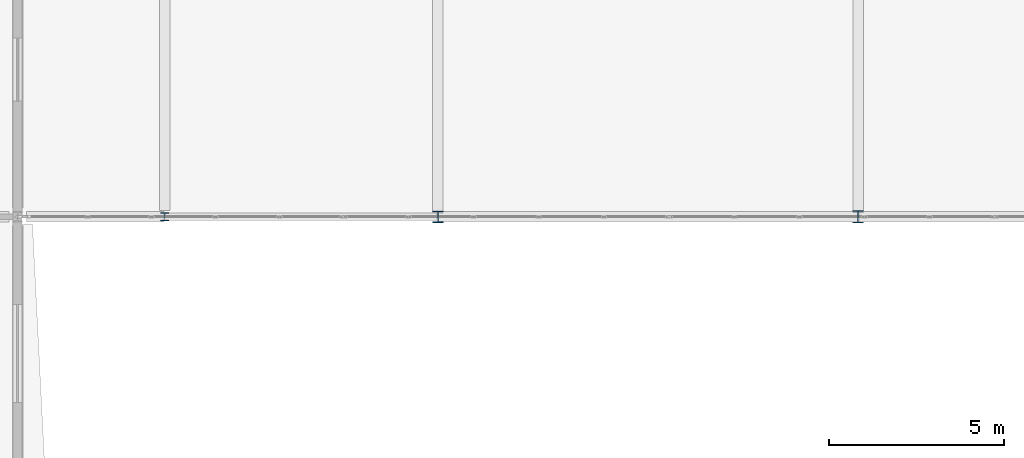
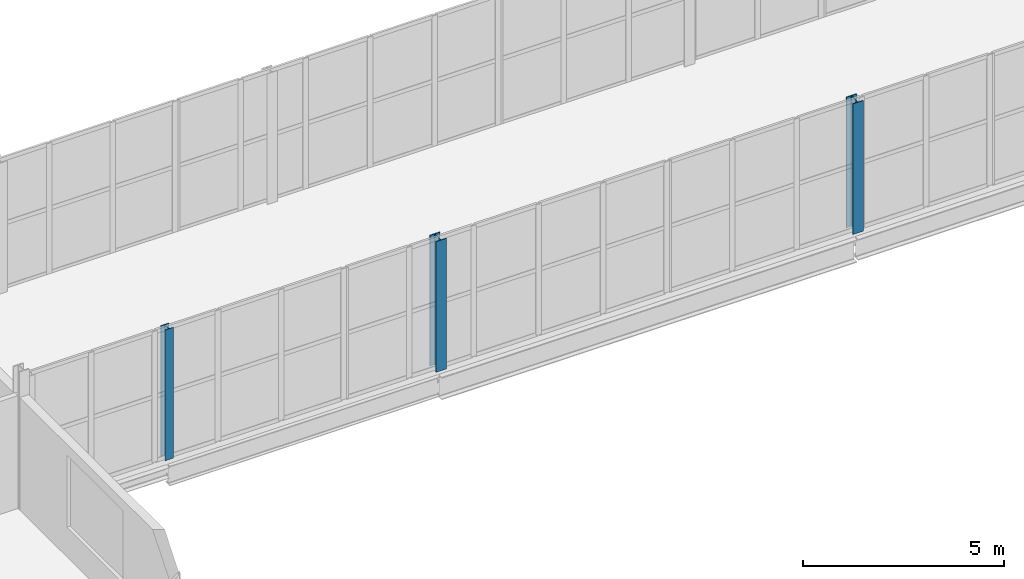
# One storey, part 14 of 138: 3 columns.
"""IFC4 building model written with IfcOpenShell, lengths in metres."""

import ifcopenshell
import ifcopenshell.guid

model = None  # the IFC model being written
_history = None  # IfcOwnerHistory: only IFC2X3 demands one
_inside = {}  # id of a spatial element -> (the spatial element, [elements in it])
_under = {}  # id of a project, library or spatial element -> (it, [spatial elements below it])
_declared = {}  # id of a project -> (the project, [libraries it declares])
_typed = {}  # id of a type object -> (the type object, [elements of that type])
_made_of = {}  # id of a material, layer set ... -> (it, [elements and type objects made of it])


def new_model(schema):
    """Start an empty IFC model of exactly this schema.

    Asked for "IFC4X3", IfcOpenShell would pick the latest addendum, in which some entities
    have other attributes; the version numbers below select the first issue.
    IFC2X3 requires an IfcOwnerHistory on every rooted entity: one is made here for all.
    """
    global model, _history
    if schema == "IFC4X3":
        model = ifcopenshell.file(schema_version=(4, 3, 0, 0))
    else:
        model = ifcopenshell.file(schema=schema)
    _inside.clear()
    _under.clear()
    _declared.clear()
    _typed.clear()
    _made_of.clear()
    _history = None
    if model.schema == "IFC2X3":
        org = make("IfcOrganization", Name="unknown")
        user = make(
            "IfcPersonAndOrganization",
            ThePerson=make("IfcPerson", FamilyName="unknown"),
            TheOrganization=org,
        )
        app = make(
            "IfcApplication",
            ApplicationDeveloper=org,
            Version="unknown",
            ApplicationFullName="unknown",
            ApplicationIdentifier="unknown",
        )
        _history = make(
            "IfcOwnerHistory",
            OwningUser=user,
            OwningApplication=app,
            ChangeAction="ADDED",
            CreationDate=0,
        )
    return model


def make(cls, **values):
    """One entity of the class cls with the attributes given. An attribute that is None is left unset."""
    return model.create_entity(
        cls, **{name: value for name, value in values.items() if value is not None}
    )


def rooted(cls, **values):
    """An entity with a GlobalId (a new one), such as an element, a storey or a relation."""
    return make(cls, GlobalId=ifcopenshell.guid.new(), OwnerHistory=_history, **values)


def si_unit(unit_type, name, prefix=None):
    """IfcSIUnit, for example si_unit("LENGTHUNIT", "METRE", prefix="MILLI")."""
    return make("IfcSIUnit", UnitType=unit_type, Prefix=prefix, Name=name)


def assignment(units):
    """IfcUnitAssignment: the units of a project."""
    return None if units is None else make("IfcUnitAssignment", Units=units)


def point(xyz):
    """IfcCartesianPoint."""
    return None if xyz is None else make("IfcCartesianPoint", Coordinates=xyz)


def direction(xyz):
    """IfcDirection."""
    return None if xyz is None else make("IfcDirection", DirectionRatios=xyz)


def frame(location, z_axis=None, x_axis=None):
    """IfcAxis2Placement3D, a coordinate frame: its origin and axes. An axis left out is left unset."""
    return make(
        "IfcAxis2Placement3D",
        Location=point(location),
        Axis=direction(z_axis),
        RefDirection=direction(x_axis),
    )


def frame_2d(location, x_axis=None):
    """IfcAxis2Placement2D, a coordinate frame in the plane: its origin and x axis."""
    return make(
        "IfcAxis2Placement2D", Location=point(location), RefDirection=direction(x_axis)
    )


def origin():
    """The frame at (0, 0, 0) with its axes left unset."""
    return frame((0.0, 0.0, 0.0))


def origin_2d():
    """The frame at (0, 0) in the plane with its x axis left unset."""
    return frame_2d((0.0, 0.0))


def place(relative_to, where):
    """IfcLocalPlacement: puts the frame where relative to a parent placement (None: the world)."""
    return make(
        "IfcLocalPlacement", PlacementRelTo=relative_to, RelativePlacement=where
    )


def context(
    kind, dimensions, precision=None, world=None, true_north=None, identifier=None
):
    """IfcGeometricRepresentationContext, for example the 3D "Model" context."""
    return make(
        "IfcGeometricRepresentationContext",
        ContextIdentifier=identifier,
        ContextType=kind,
        CoordinateSpaceDimension=dimensions,
        Precision=precision,
        WorldCoordinateSystem=world,
        TrueNorth=true_north,
    )


def subcontext(parent, identifier, kind, view, scale=None):
    """IfcGeometricRepresentationSubContext, for example "Body" below "Model"."""
    return make(
        "IfcGeometricRepresentationSubContext",
        ContextIdentifier=identifier,
        ContextType=kind,
        ParentContext=parent,
        TargetScale=scale,
        TargetView=view,
    )


def project(units=None, contexts=None):
    """IfcProject with its units and contexts."""
    return rooted(
        "IfcProject",
        Name="project",
        RepresentationContexts=contexts,
        UnitsInContext=assignment(units),
    )


def spatial(cls, under=None, at=None, **own):
    """A site, building, storey or space (cls), placed at a placement, below another one or the project."""
    s = rooted(cls, ObjectPlacement=at, **own)
    if under is not None:
        _under.setdefault(under.id(), (under, []))[1].append(s)
    return s


def profile(cls, at=None, kind="AREA", **sizes):
    """A parametric profile (cls). Its sizes go by their IFC names, for example OverallWidth=200.0."""
    return make(cls, ProfileType=kind, Position=at, **sizes)


def i_section(**sizes):
    """IfcIShapeProfileDef."""
    return profile("IfcIShapeProfileDef", **sizes)


def extrude(swept, where, along, depth):
    """IfcExtrudedAreaSolid: the profile swept, set in the frame where, extruded along a direction by depth."""
    return make(
        "IfcExtrudedAreaSolid",
        SweptArea=swept,
        Position=where,
        ExtrudedDirection=direction(along),
        Depth=depth,
    )


def shape(context_of_items, identifier, shape_type, items):
    """IfcShapeRepresentation: the items that make up one representation, for example the "Body"."""
    return make(
        "IfcShapeRepresentation",
        ContextOfItems=context_of_items,
        RepresentationIdentifier=identifier,
        RepresentationType=shape_type,
        Items=items,
    )


def material(Name=None, Category=None):
    """IfcMaterial."""
    return make("IfcMaterial", Name=Name, Category=Category)


def material_profile(
    of_material, cross_section, Name=None, Category=None, Priority=None
):
    """IfcMaterialProfile: a cross section and its material."""
    return make(
        "IfcMaterialProfile",
        Name=Name,
        Material=of_material,
        Profile=cross_section,
        Priority=Priority,
        Category=Category,
    )


def profile_set(profiles, Name=None, composite=None):
    """IfcMaterialProfileSet."""
    return make(
        "IfcMaterialProfileSet",
        Name=Name,
        MaterialProfiles=profiles,
        CompositeProfile=composite,
    )


def made_of(thing, what):
    """Note that an element or type object is made of a material, layer set ...; save() writes the relation."""
    if what is not None:
        _made_of.setdefault(what.id(), (what, []))[1].append(thing)
    return thing


def type_object(cls, material=None, **own):
    """A type object (cls), such as IfcWallType, which elements share."""
    return made_of(rooted(cls, **own), material)


def element(
    cls,
    number,
    at=None,
    inside=None,
    cuts=None,
    type_object=None,
    material=None,
    context=None,
    identifier="Body",
    shape_type=None,
    held_by="IfcProductDefinitionShape",
    body=None,
    shapes=None,
    **own,
):
    """One element of the class cls, such as IfcWall. Its Tag is "e" and its number.

    at: its placement. inside: the storey or other place that contains it. cuts: it is an
    opening in that element (IfcRelVoidsElement). A single representation is given by context,
    identifier, shape_type and body (its items); several are given by shapes. held_by: the class
    of the entity that holds the representations. save() writes the other relations.
    """
    e = rooted(cls, Tag="e%d" % number, ObjectPlacement=at, **own)
    if body is not None:
        shapes = [shape(context, identifier, shape_type, body)]
    if shapes is not None:
        e.Representation = make(held_by, Representations=shapes)
    if inside is not None:
        _inside.setdefault(inside.id(), (inside, []))[1].append(e)
    if cuts is not None:
        rooted(
            "IfcRelVoidsElement", RelatingBuildingElement=cuts, RelatedOpeningElement=e
        )
    if type_object is not None:
        _typed.setdefault(type_object.id(), (type_object, []))[1].append(e)
    return made_of(e, material)


def aggregate(whole, parts):
    """IfcRelAggregates: a whole, such as a stair, and the parts it consists of."""
    return rooted("IfcRelAggregates", RelatingObject=whole, RelatedObjects=parts)


def save(model, path):
    """Write the relations noted so far, then the file.

    IfcRelAggregates (storeys below a building ...), IfcRelContainedInSpatialStructure (elements
    in a storey), IfcRelDefinesByType, IfcRelAssociatesMaterial and IfcRelDeclares: one each for
    every whole, place, type object, material and project.
    """
    for whole, parts in _under.values():
        aggregate(whole, parts)
    for where, things in _inside.values():
        rooted(
            "IfcRelContainedInSpatialStructure",
            RelatedElements=things,
            RelatingStructure=where,
        )
    for kind, things in _typed.values():
        rooted("IfcRelDefinesByType", RelatedObjects=things, RelatingType=kind)
    for what, things in _made_of.values():
        rooted("IfcRelAssociatesMaterial", RelatedObjects=things, RelatingMaterial=what)
    for by, libraries in _declared.values():
        rooted("IfcRelDeclares", RelatingContext=by, RelatedDefinitions=libraries)
    model.write(path)


model = new_model("IFC4")

# Units and contexts
model_context = context("Model", 3, precision=1e-05, world=origin(), true_north=direction((0.0, 1.0)))
body_context = subcontext(model_context, "Body", "Model", "MODEL_VIEW")
ifc_project = project(units=[si_unit("LENGTHUNIT", "METRE"), si_unit("AREAUNIT", "SQUARE_METRE"), si_unit("VOLUMEUNIT", "CUBIC_METRE"), si_unit("PLANEANGLEUNIT", "RADIAN"), si_unit("MASSUNIT", "GRAM", prefix="KILO")], contexts=[model_context])

# Site, building, storey
site_placement = place(None, origin())
site = spatial("IfcSite", under=ifc_project, at=site_placement, CompositionType="ELEMENT")
building_placement = place(site_placement, origin())
building = spatial("IfcBuilding", under=site, at=building_placement, Name="Vinh Khe Railworks Police Headquarters", CompositionType="ELEMENT")
storey_placement = place(building_placement, frame((0.0, 0.0, 9.0)))
storey = spatial("IfcBuildingStorey", under=building, at=storey_placement, Name="L02", CompositionType="ELEMENT", Elevation=9.0)

# Columns
ifc_material = material(Name="Steel S355JR", Category="steel")
ifc_material_profile_1 = material_profile(ifc_material, i_section(OverallWidth=0.239990234375, OverallDepth=0.22998046875, WebThickness=0.007568359375, FlangeThickness=0.011962890625, FilletRadius=0.02099609375, at=origin_2d()), Name="HEA 240")
ifc_profile_set_1 = profile_set([ifc_material_profile_1], Name="Steel S355JR")
column_type_1 = type_object("IfcColumnType", Name="Steel Column HEA 240", PredefinedType="COLUMN", material=ifc_profile_set_1)
column_1_placement = place(storey_placement, frame((26.39990234375, 96.0, 0.0), z_axis=(0.0, 0.0, 1.0), x_axis=(1.0, 0.0, 0.0)))
element("IfcColumn", 1, at=column_1_placement, inside=storey, type_object=column_type_1, Name="Column COL-L02-SC-20-0765", PredefinedType="COLUMN", context=body_context, shape_type="SweptSolid", body=[
    extrude(i_section(OverallWidth=0.239990234375, OverallDepth=0.22998046875, WebThickness=0.007568359375, FlangeThickness=0.011962890625, FilletRadius=0.02099609375, at=origin_2d()), origin(), (0.0, 0.0, 1.0), 3.97998046875),
])
ifc_material_profile_2 = material_profile(ifc_material, i_section(OverallWidth=0.300048828125, OverallDepth=0.330078125, WebThickness=0.009521484375, FlangeThickness=0.0166015625, FilletRadius=0.027099609375, at=origin_2d()), Name="HEA 340")
ifc_profile_set_2 = profile_set([ifc_material_profile_2], Name="Steel S355JR")
column_type_2 = type_object("IfcColumnType", Name="Steel Column HEA 340", PredefinedType="COLUMN", material=ifc_profile_set_2)
column_2_placement = place(storey_placement, frame((34.199951171875, 96.0, 0.0), z_axis=(0.0, 0.0, 1.0), x_axis=(1.0, 0.0, 0.0)))
element("IfcColumn", 2, at=column_2_placement, inside=storey, type_object=column_type_2, Name="Column COL-L02-SC-17-0811", PredefinedType="COLUMN", context=body_context, shape_type="SweptSolid", body=[
    extrude(i_section(OverallWidth=0.300048828125, OverallDepth=0.330078125, WebThickness=0.009521484375, FlangeThickness=0.0166015625, FilletRadius=0.027099609375, at=origin_2d()), origin(), (0.0, 0.0, 1.0), 3.97998046875),
])
ifc_material_profile_3 = material_profile(ifc_material, i_section(OverallWidth=0.300048828125, OverallDepth=0.35009765625, WebThickness=0.010009765625, FlangeThickness=0.017578125, FilletRadius=0.027099609375, at=origin_2d()), Name="HEA 360")
ifc_profile_set_3 = profile_set([ifc_material_profile_3], Name="Steel S355JR")
column_type_3 = type_object("IfcColumnType", Name="Steel Column HEA 360", PredefinedType="COLUMN", material=ifc_profile_set_3)
column_3_placement = place(storey_placement, frame((46.199951171875, 96.0, 0.0), z_axis=(0.0, 0.0, 1.0), x_axis=(1.0, 0.0, 0.0)))
element("IfcColumn", 3, at=column_3_placement, inside=storey, type_object=column_type_3, Name="Column COL-L02-SC-16-0929", PredefinedType="COLUMN", context=body_context, shape_type="SweptSolid", body=[
    extrude(i_section(OverallWidth=0.300048828125, OverallDepth=0.35009765625, WebThickness=0.010009765625, FlangeThickness=0.017578125, FilletRadius=0.027099609375, at=origin_2d()), origin(), (0.0, 0.0, 1.0), 3.97998046875),
])

save(model, "model.ifc")
